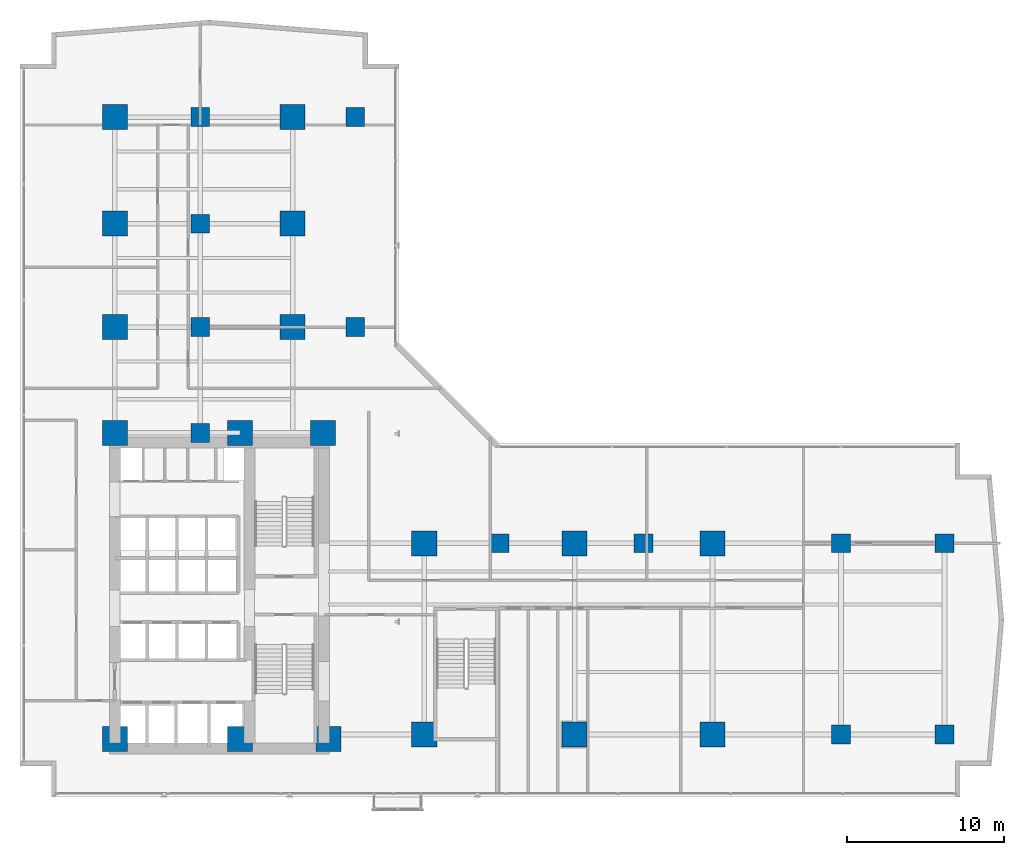
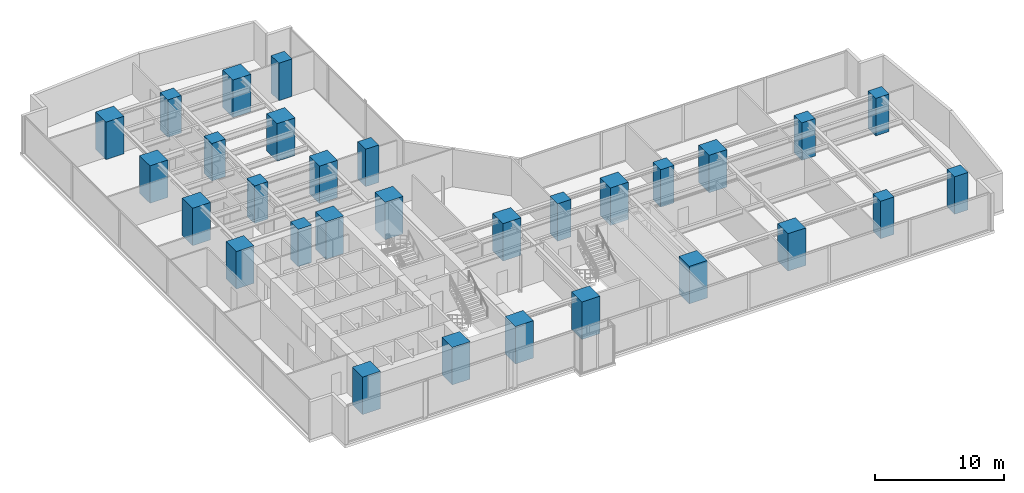
# One storey, part 1 of 28: 30 columns.
"""IFC4 building model written with IfcOpenShell, lengths in metres."""

from ifc_helpers import new_model, si_unit, direction, frame, origin, origin_2d, place, context, subcontext, project, spatial, rectangle, extrude, material, material_profile, profile_set, type_object, element, save


model = new_model("IFC4")

# Units and contexts
model_context = context("Model", 3, precision=1e-05, world=origin(), true_north=direction((0.0, 1.0)))
body_context = subcontext(model_context, "Body", "Model", "MODEL_VIEW")
ifc_project = project(units=[si_unit("LENGTHUNIT", "METRE"), si_unit("AREAUNIT", "SQUARE_METRE"), si_unit("VOLUMEUNIT", "CUBIC_METRE"), si_unit("PLANEANGLEUNIT", "RADIAN"), si_unit("MASSUNIT", "GRAM", prefix="KILO")], contexts=[model_context])

# Site, building, storey
site_placement = place(None, origin())
site = spatial("IfcSite", under=ifc_project, at=site_placement, CompositionType="ELEMENT")
building_placement = place(site_placement, origin())
building = spatial("IfcBuilding", under=site, at=building_placement, Name="Kolvaren Waterfront Exchange", CompositionType="ELEMENT")
storey_placement = place(building_placement, frame((0.0, 0.0, 75.199951171875)))
storey = spatial("IfcBuildingStorey", under=building, at=storey_placement, Name="L19", CompositionType="ELEMENT", Elevation=75.199951171875)

# Columns
ifc_material = material(Name="Concrete C70/85", Category="concrete")
ifc_material_profile_1 = material_profile(ifc_material, rectangle(XDim=1.199951171875, YDim=1.199951171875, at=origin_2d()), Name="RC-COL-1200x1200")
ifc_profile_set_1 = profile_set([ifc_material_profile_1], Name="Concrete C70/85")
column_type_1 = type_object("IfcColumnType", Name="STR-COL-1200-C70", PredefinedType="COLUMN", material=ifc_profile_set_1)
for number, where, z_axis, x_axis, name in (
    (1, (53.800048828125, 5.199951171875, 0.0), (0.0, 0.0, 1.0), (1.0, 0.0, 0.0), "L19 column ZC01"),
    (2, (53.800048828125, 17.39990234375, 0.0), (0.0, 0.0, 1.0), (1.0, 0.0, 0.0), "L19 column ZC02"),
    (3, (60.39990234375, 5.199951171875, 0.0), (0.0, 0.0, 1.0), (1.0, 0.0, 0.0), "L19 column ZC03"),
    (4, (60.39990234375, 17.39990234375, 0.0), (0.0, 0.0, 1.0), (1.0, 0.0, 0.0), "L19 column ZC04"),
    (5, (22.800048828125, 31.199951171875, 0.0), (0.0, 0.0, 1.0), (1.0, 0.0, 0.0), "L19 column ZC05"),
    (6, (22.800048828125, 44.60009765625, 0.0), (0.0, 0.0, 1.0), (1.0, 0.0, 0.0), "L19 column ZC06"),
    (7, (12.89990234375, 24.449951171875, 0.0), (0.0, 0.0, 1.0), (1.0, 0.0, 0.0), "L19 column TC01"),
    (8, (12.89990234375, 31.199951171875, 0.0), (0.0, 0.0, 1.0), (1.0, 0.0, 0.0), "L19 column TC02"),
    (9, (12.89990234375, 37.800048828125, 0.0), (0.0, 0.0, 1.0), (1.0, 0.0, 0.0), "L19 column TC03"),
    (10, (12.89990234375, 44.60009765625, 0.0), (0.0, 0.0, 1.0), (1.0, 0.0, 0.0), "L19 column TC04"),
    (11, (32.0, 17.39990234375, 0.0), (0.0, 0.0, 1.0), (1.0, 0.0, 0.0), "L19 column TC05"),
    (12, (41.199951171875, 17.39990234375, 0.0), (0.0, 0.0, 1.0), (1.0, 0.0, 0.0), "L19 column TC06"),
):
    element("IfcColumn", number, at=place(storey_placement, frame(where, z_axis=z_axis, x_axis=x_axis)), inside=storey, type_object=column_type_1, Name=name, PredefinedType="COLUMN", context=body_context, shape_type="SweptSolid", body=[
        extrude(rectangle(XDim=1.199951171875, YDim=1.199951171875, at=origin_2d()), origin(), (0.0, 0.0, 1.0), 3.5400390625),
    ])
ifc_material_profile_2 = material_profile(ifc_material, rectangle(XDim=1.60009765625, YDim=1.60009765625, at=origin_2d()), Name="RC-COL-1600x1600")
ifc_profile_set_2 = profile_set([ifc_material_profile_2], Name="Concrete C70/85")
column_type_2 = type_object("IfcColumnType", Name="STR-COL-1600-C70", PredefinedType="COLUMN", material=ifc_profile_set_2)
for number, where, z_axis, x_axis, name in (
    (13, (7.449951171875, 4.89990234375, 0.0), (0.0, 0.0, 1.0), (1.0, 0.0, 0.0), "L19 column MC01"),
    (14, (15.449951171875, 4.89990234375, 0.0), (0.0, 0.0, 1.0), (1.0, 0.0, 0.0), "L19 column MC02"),
    (15, (21.10009765625, 4.89990234375, 0.0), (0.0, 0.0, 1.0), (1.0, 0.0, 0.0), "L19 column MC03"),
    (16, (7.449951171875, 24.449951171875, 0.0), (0.0, 0.0, 1.0), (1.0, 0.0, 0.0), "L19 column MC04"),
    (17, (15.449951171875, 24.449951171875, 0.0), (0.0, 0.0, 1.0), (1.0, 0.0, 0.0), "L19 column MC05"),
    (18, (20.75, 24.449951171875, 0.0), (0.0, 0.0, 1.0), (1.0, 0.0, 0.0), "L19 column MC06"),
    (19, (7.449951171875, 31.199951171875, 0.0), (0.0, 0.0, 1.0), (1.0, 0.0, 0.0), "L19 column NC01"),
    (20, (7.449951171875, 37.800048828125, 0.0), (0.0, 0.0, 1.0), (1.0, 0.0, 0.0), "L19 column NC02"),
    (21, (7.449951171875, 44.60009765625, 0.0), (0.0, 0.0, 1.0), (1.0, 0.0, 0.0), "L19 column NC03"),
    (22, (18.800048828125, 31.199951171875, 0.0), (0.0, 0.0, 1.0), (1.0, 0.0, 0.0), "L19 column NC04"),
    (23, (18.800048828125, 37.800048828125, 0.0), (0.0, 0.0, 1.0), (1.0, 0.0, 0.0), "L19 column NC05"),
    (24, (18.800048828125, 44.60009765625, 0.0), (0.0, 0.0, 1.0), (1.0, 0.0, 0.0), "L19 column NC06"),
    (25, (27.199951171875, 5.199951171875, 0.0), (0.0, 0.0, 1.0), (1.0, 0.0, 0.0), "L19 column EC01"),
    (26, (36.800048828125, 5.199951171875, 0.0), (0.0, 0.0, 1.0), (1.0, 0.0, 0.0), "L19 column EC02"),
    (27, (45.60009765625, 5.199951171875, 0.0), (0.0, 0.0, 1.0), (1.0, 0.0, 0.0), "L19 column EC03"),
    (28, (27.199951171875, 17.39990234375, 0.0), (0.0, 0.0, 1.0), (1.0, 0.0, 0.0), "L19 column EC04"),
    (29, (36.800048828125, 17.39990234375, 0.0), (0.0, 0.0, 1.0), (1.0, 0.0, 0.0), "L19 column EC05"),
    (30, (45.60009765625, 17.39990234375, 0.0), (0.0, 0.0, 1.0), (1.0, 0.0, 0.0), "L19 column EC06"),
):
    element("IfcColumn", number, at=place(storey_placement, frame(where, z_axis=z_axis, x_axis=x_axis)), inside=storey, type_object=column_type_2, Name=name, PredefinedType="COLUMN", context=body_context, shape_type="SweptSolid", body=[
        extrude(rectangle(XDim=1.60009765625, YDim=1.60009765625, at=origin_2d()), origin(), (0.0, 0.0, 1.0), 3.5400390625),
    ])

save(model, "model.ifc")
